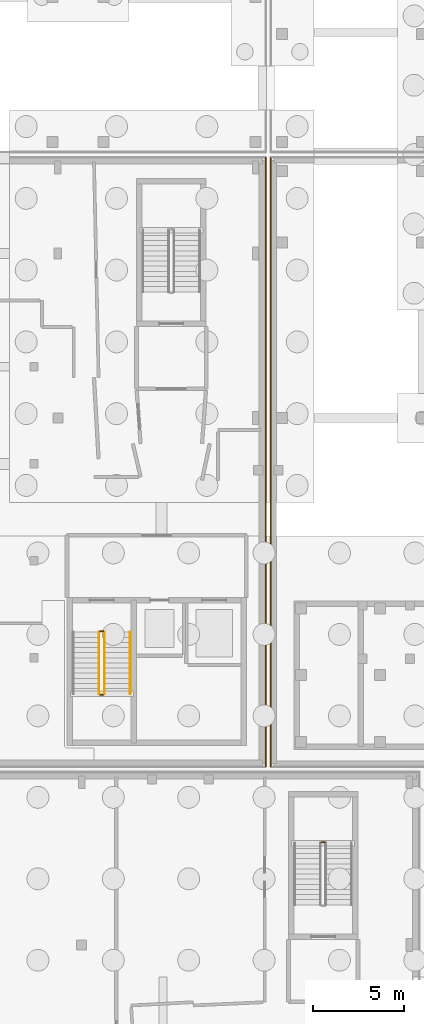
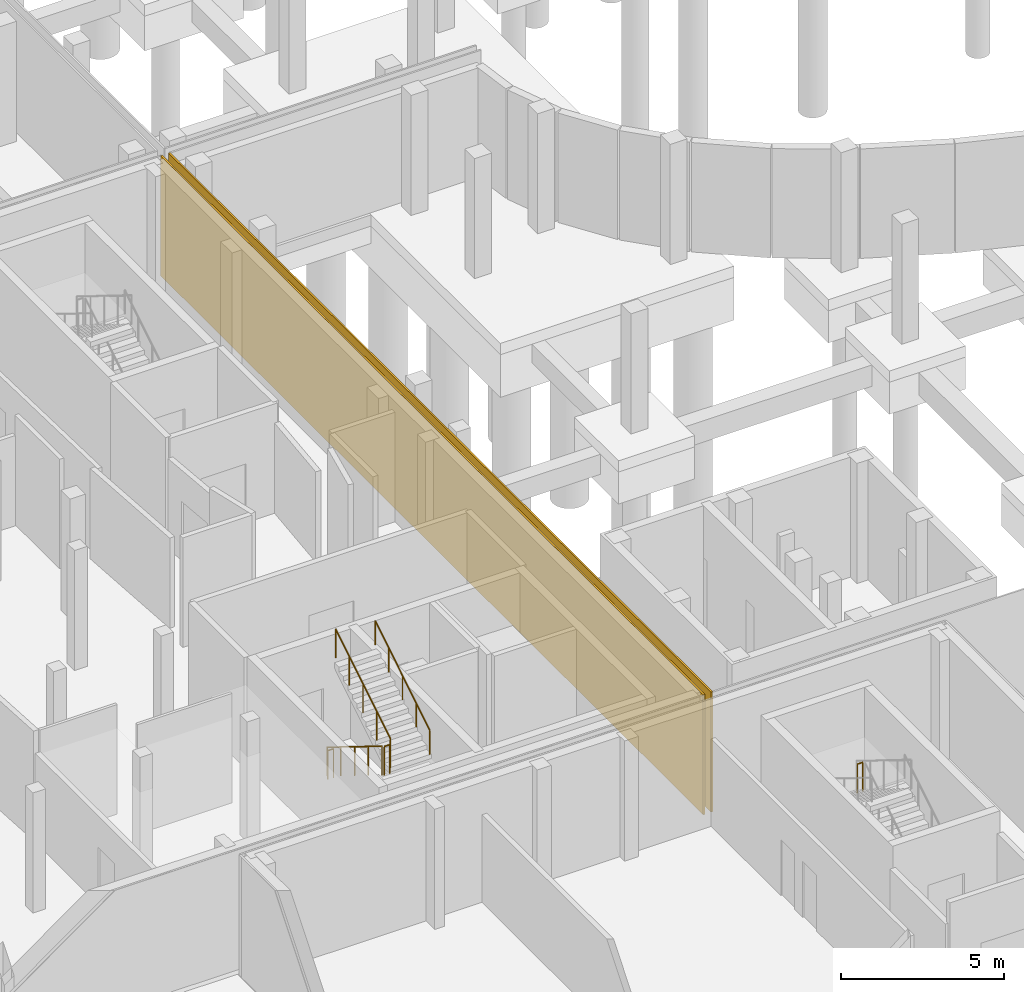
# One storey, part 30 of 40: 6 railings, 2 coverings.
"""IFC4 building model written with IfcOpenShell, lengths in metres."""

from ifc_helpers import new_model, si_unit, direction, frame, origin, origin_2d, place, context, subcontext, project, spatial, rectangle, circle, extrude, material, layer, layer_set, type_object, element, save


model = new_model("IFC4")

# Units and contexts
model_context = context("Model", 3, precision=1e-05, world=origin(), true_north=direction((0.0, 1.0)))
body_context = subcontext(model_context, "Body", "Model", "MODEL_VIEW")
ifc_project = project(units=[si_unit("LENGTHUNIT", "METRE"), si_unit("AREAUNIT", "SQUARE_METRE"), si_unit("VOLUMEUNIT", "CUBIC_METRE"), si_unit("PLANEANGLEUNIT", "RADIAN"), si_unit("MASSUNIT", "GRAM", prefix="KILO")], contexts=[model_context])

# Site, building, storey
site_placement = place(None, origin())
site = spatial("IfcSite", under=ifc_project, at=site_placement, CompositionType="ELEMENT")
building_placement = place(site_placement, origin())
building = spatial("IfcBuilding", under=site, at=building_placement, Name="Mzevani Central Library", CompositionType="ELEMENT")
storey_placement = place(building_placement, frame((0.0, 0.0, -4.5)))
storey = spatial("IfcBuildingStorey", under=building, at=storey_placement, Name="B1", CompositionType="ELEMENT", Elevation=-4.5)

# Railings
ifc_material_1 = material(Name="Brushed stainless steel rail", Category="steel")
railing_type_1 = type_object("IfcRailingType", Name="Interior Gallery and Stair Guard 1100", PredefinedType="BALUSTRADE", material=ifc_material_1)
railing_1_placement = place(storey_placement, frame((49.10009765625, 38.409912109375, 2.25)))
element("IfcRailing", 1, at=railing_1_placement, inside=storey, type_object=railing_type_1, Name="B1 ST-08 stair guard 2", PredefinedType="BALUSTRADE", context=body_context, shape_type="SweptSolid", body=[
    extrude(circle(Radius=0.02392578125, at=origin_2d()), frame((0.0, 0.0, 1.076171875), z_axis=(-1.0, 0.0, 0.0), x_axis=(0.0, -1.0, 0.0)), (0.0, 0.0, 1.0), 0.2001953125),
    extrude(circle(Radius=0.02099609375, at=origin_2d()), origin(), (0.0, 0.0, 1.0), 1.052001953125),
    extrude(circle(Radius=0.02099609375, at=origin_2d()), frame((-0.2001953125, 0.0, 0.0)), (0.0, 0.0, 1.0), 1.052001953125),
])
railing_2_placement = place(storey_placement, frame((36.75, 49.89990234375, 0.173095703125)))
element("IfcRailing", 2, at=railing_2_placement, inside=storey, type_object=railing_type_1, Name="B1 ST-09 stair guard 1", PredefinedType="BALUSTRADE", context=body_context, shape_type="SweptSolid", body=[
    extrude(circle(Radius=0.02392578125, at=origin_2d()), frame((0.0, 0.0, 1.076171875), z_axis=(0.0, -0.850606129759, 0.525803396734), x_axis=(1.0, 0.0, 0.0)), (0.0, 0.0, 1.0), 3.949951171875),
    extrude(circle(Radius=0.02099609375, at=origin_2d()), origin(), (0.0, 0.0, 1.0), 1.052001953125),
    extrude(circle(Radius=0.02099609375, at=origin_2d()), frame((0.0, -0.83984375, 0.519287109375)), (0.0, 0.0, 1.0), 1.052001953125),
    extrude(circle(Radius=0.02099609375, at=origin_2d()), frame((0.0, -1.679931640625, 1.03857421875)), (0.0, 0.0, 1.0), 1.052001953125),
    extrude(circle(Radius=0.02099609375, at=origin_2d()), frame((0.0, -2.52001953125, 1.5576171875)), (0.0, 0.0, 1.0), 1.052001953125),
    extrude(circle(Radius=0.02099609375, at=origin_2d()), frame((0.0, -3.35986328125, 2.076904296875)), (0.0, 0.0, 1.0), 1.052001953125),
])
railing_3_placement = place(storey_placement, frame((36.800048828125, 46.489990234375, 2.25)))
element("IfcRailing", 3, at=railing_3_placement, inside=storey, type_object=railing_type_1, Name="B1 ST-09 stair guard 2", PredefinedType="BALUSTRADE", context=body_context, shape_type="SweptSolid", body=[
    extrude(circle(Radius=0.02392578125, at=origin_2d()), frame((0.0, 0.0, 1.076171875), z_axis=(1.0, 0.0, 0.0), x_axis=(0.0, 1.0, 0.0)), (0.0, 0.0, 1.0), 0.199951171875),
    extrude(circle(Radius=0.02099609375, at=origin_2d()), origin(), (0.0, 0.0, 1.0), 1.052001953125),
    extrude(circle(Radius=0.02099609375, at=origin_2d()), frame((0.199951171875, 0.0, 0.0)), (0.0, 0.0, 1.0), 1.052001953125),
])
railing_4_placement = place(storey_placement, frame((37.050048828125, 46.5400390625, 2.423095703125)))
element("IfcRailing", 4, at=railing_4_placement, inside=storey, type_object=railing_type_1, Name="B1 ST-09 stair guard 3", PredefinedType="BALUSTRADE", context=body_context, shape_type="SweptSolid", body=[
    extrude(circle(Radius=0.02392578125, at=origin_2d()), frame((0.0, 0.0, 1.076171875), z_axis=(0.0, 0.850606129759, 0.525803396734), x_axis=(-1.0, 0.0, 0.0)), (0.0, 0.0, 1.0), 3.949951171875),
    extrude(circle(Radius=0.02099609375, at=origin_2d()), origin(), (0.0, 0.0, 1.0), 1.052001953125),
    extrude(circle(Radius=0.02099609375, at=origin_2d()), frame((0.0, 0.83984375, 0.519287109375)), (0.0, 0.0, 1.0), 1.052001953125),
    extrude(circle(Radius=0.02099609375, at=origin_2d()), frame((0.0, 1.679931640625, 1.03857421875)), (0.0, 0.0, 1.0), 1.052001953125),
    extrude(circle(Radius=0.02099609375, at=origin_2d()), frame((0.0, 2.52001953125, 1.5576171875)), (0.0, 0.0, 1.0), 1.052001953125),
    extrude(circle(Radius=0.02099609375, at=origin_2d()), frame((0.0, 3.35986328125, 2.076904296875)), (0.0, 0.0, 1.0), 1.052001953125),
])
railing_5_placement = place(storey_placement, frame((36.800048828125, 49.949951171875, 0.0)))
element("IfcRailing", 5, at=railing_5_placement, inside=storey, type_object=railing_type_1, Name="B1 ST-09 stair guard 4", PredefinedType="BALUSTRADE", context=body_context, shape_type="SweptSolid", body=[
    extrude(circle(Radius=0.02392578125, at=origin_2d()), frame((0.0, 0.0, 1.076171875), z_axis=(1.0, 0.0, 0.0), x_axis=(0.0, 1.0, 0.0)), (0.0, 0.0, 1.0), 0.199951171875),
    extrude(circle(Radius=0.02099609375, at=origin_2d()), origin(), (0.0, 0.0, 1.0), 1.052001953125),
    extrude(circle(Radius=0.02099609375, at=origin_2d()), frame((0.199951171875, 0.0, 0.0)), (0.0, 0.0, 1.0), 1.052001953125),
])

# Coverings
ifc_material_2 = material(Name="Limestone ashlar cladding", Category="masonry")
ifc_layer = layer(ifc_material_2, 0.050048828125, Name="Limestone Ashlar Spandrel Cladding")
ifc_layer_set = layer_set([ifc_layer], Name="Limestone ashlar cladding")
covering_type = type_object("IfcCoveringType", Name="Limestone Ashlar Spandrel Cladding", PredefinedType="CLADDING", material=ifc_layer_set)
for number, where, z_axis, x_axis, name in (
    (6, (46.139892578125, 59.199951171875, 0.0), (0.0, 0.0, 1.0), (0.0, 1.0, 0.0), "B1 V1 Perimeter Plinth Cladding (3)"),
    (7, (45.860107421875, 59.199951171875, 0.0), (0.0, 0.0, 1.0), (0.0, -1.0, 0.0), "B1 V5 Perimeter Plinth Cladding (63)"),
):
    element("IfcCovering", number, at=place(storey_placement, frame(where, z_axis=z_axis, x_axis=x_axis)), inside=storey, type_object=covering_type, Name=name, PredefinedType="CLADDING", context=body_context, shape_type="SweptSolid", body=[
        extrude(rectangle(XDim=33.320068359375, YDim=0.06005859375, at=origin_2d()), origin(), (0.0, 0.0, 1.0), 4.5),
    ])

# Railing
railing_type_2 = type_object("IfcRailingType", Name="Stair Wall Handrail 920", PredefinedType="HANDRAIL", material=ifc_material_1)
railing_6_placement = place(storey_placement, frame((38.449951171875, 46.5400390625, 2.423095703125)))
element("IfcRailing", 8, at=railing_6_placement, inside=storey, type_object=railing_type_2, Name="B1 ST-09 stair handrail 2", PredefinedType="HANDRAIL", context=body_context, shape_type="SweptSolid", body=[
    extrude(circle(Radius=0.02392578125, at=origin_2d()), frame((0.0, 0.0, 0.89599609375), z_axis=(0.0, 0.850606129759, 0.525803396734), x_axis=(-1.0, 0.0, 0.0)), (0.0, 0.0, 1.0), 3.949951171875),
    extrude(circle(Radius=0.02099609375, at=origin_2d()), origin(), (0.0, 0.0, 1.0), 0.871826171875),
    extrude(circle(Radius=0.02099609375, at=origin_2d()), frame((0.0, 0.83984375, 0.519287109375)), (0.0, 0.0, 1.0), 0.871826171875),
    extrude(circle(Radius=0.02099609375, at=origin_2d()), frame((0.0, 1.679931640625, 1.03857421875)), (0.0, 0.0, 1.0), 0.871826171875),
    extrude(circle(Radius=0.02099609375, at=origin_2d()), frame((0.0, 2.52001953125, 1.5576171875)), (0.0, 0.0, 1.0), 0.871826171875),
    extrude(circle(Radius=0.02099609375, at=origin_2d()), frame((0.0, 3.35986328125, 2.076904296875)), (0.0, 0.0, 1.0), 0.871826171875),
])

save(model, "model.ifc")
